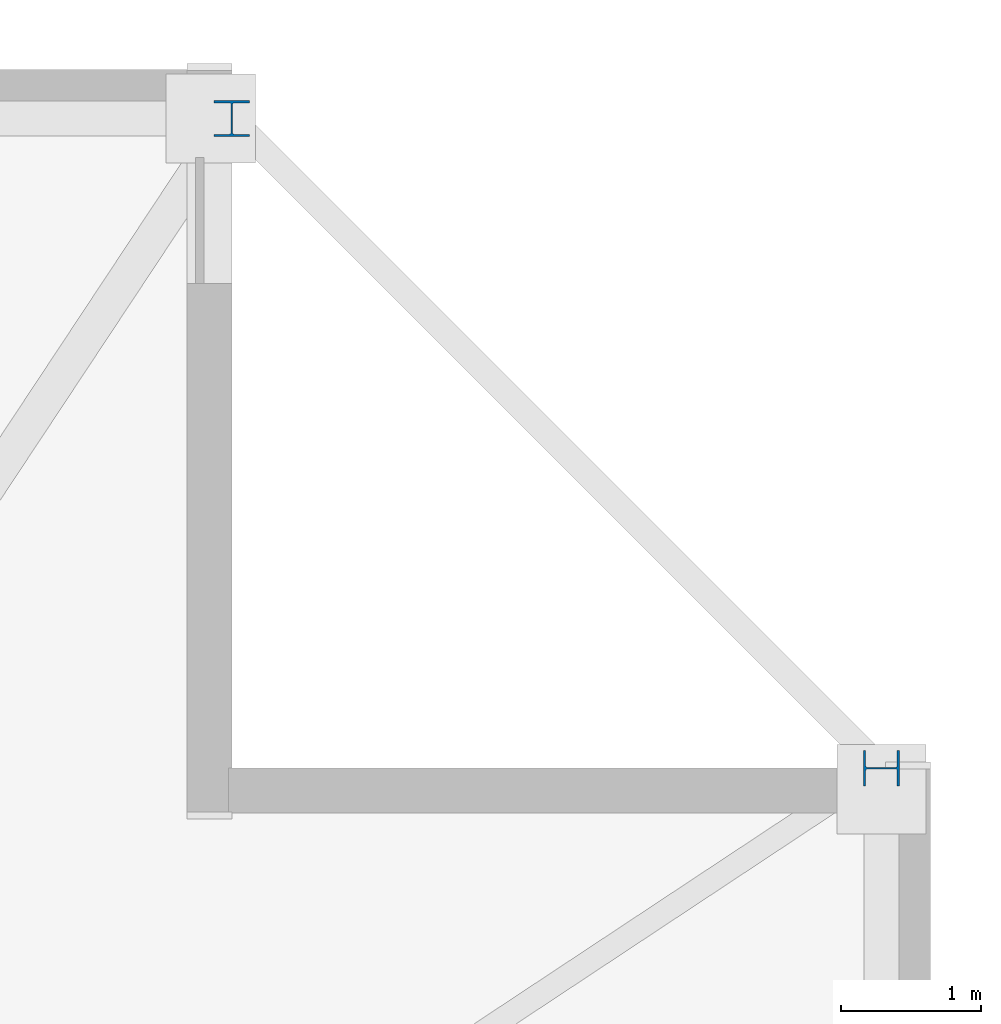
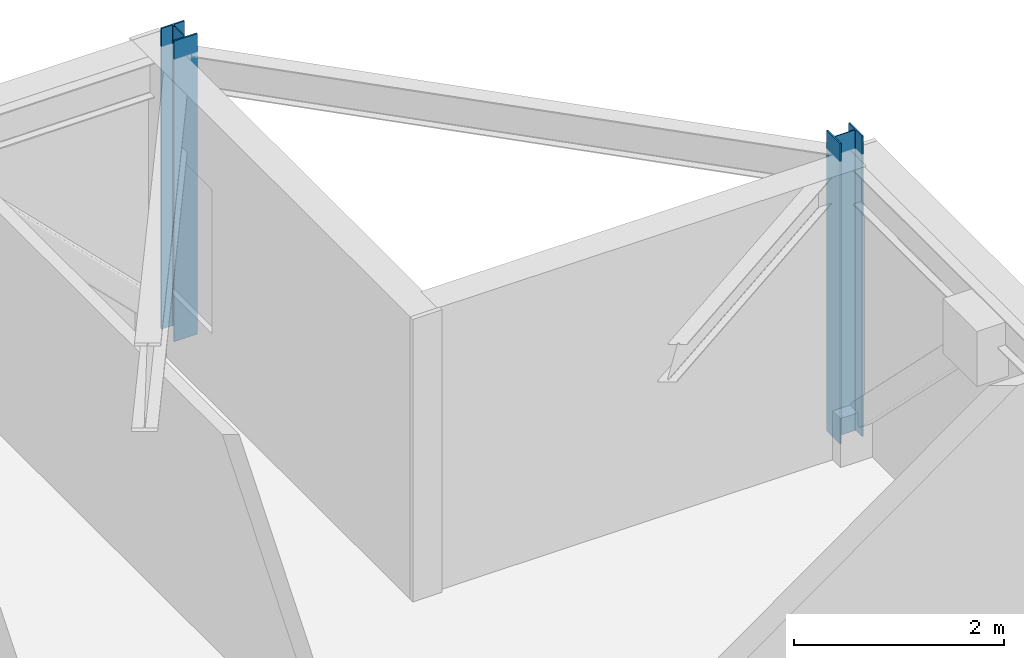
# One storey, part 5 of 17: 2 columns.
"""IFC4 building model written with IfcOpenShell, lengths in metres."""

from ifc_helpers import new_model, si_unit, direction, frame, origin, origin_2d, place, context, subcontext, project, spatial, i_section, extrude, material, material_profile, profile_set, type_object, element, save


model = new_model("IFC4")

# Units and contexts
model_context = context("Model", 3, precision=1e-05, world=origin(), true_north=direction((0.0, 1.0)))
body_context = subcontext(model_context, "Body", "Model", "MODEL_VIEW")
ifc_project = project(units=[si_unit("LENGTHUNIT", "METRE"), si_unit("AREAUNIT", "SQUARE_METRE"), si_unit("VOLUMEUNIT", "CUBIC_METRE"), si_unit("PLANEANGLEUNIT", "RADIAN"), si_unit("MASSUNIT", "GRAM", prefix="KILO")], contexts=[model_context])

# Site, building, storey
site_placement = place(None, origin())
site = spatial("IfcSite", under=ifc_project, at=site_placement, CompositionType="ELEMENT")
building_placement = place(site_placement, origin())
building = spatial("IfcBuilding", under=site, at=building_placement, Name="Cairnveth Concourse Tower", CompositionType="ELEMENT")
storey_placement = place(building_placement, frame((0.0, 0.0, 206.0)))
storey = spatial("IfcBuildingStorey", under=building, at=storey_placement, Name="L56", CompositionType="ELEMENT", Elevation=206.0)

# Columns
ifc_material = material(Name="Steel Grade 350", Category="steel")
ifc_material_profile = material_profile(ifc_material, i_section(OverallWidth=0.256103515625, OverallDepth=0.260009765625, WebThickness=0.010498046875, FlangeThickness=0.017333984375, FilletRadius=0.012939453125, at=origin_2d()), Name="250UC89.5")
ifc_profile_set = profile_set([ifc_material_profile], Name="Steel Grade 350")
column_type = type_object("IfcColumnType", Name="UNIVERSAL STEEL COLUMN 250UC89.5", PredefinedType="COLUMN", material=ifc_profile_set)
for number, where, z_axis, x_axis, name in (
    (1, (74.14990234375, 56.5, 0.0), (0.0, 0.0, 1.0), (0.0, 1.0, 0.0), "Column P-E4 L56"),
    (2, (69.5, 61.14990234375, 0.0), (0.0, 0.0, 1.0), (1.0, 0.0, 0.0), "Column P-N1 L56"),
):
    element("IfcColumn", number, at=place(storey_placement, frame(where, z_axis=z_axis, x_axis=x_axis)), inside=storey, type_object=column_type, Name=name, PredefinedType="COLUMN", context=body_context, shape_type="SweptSolid", body=[
        extrude(i_section(OverallWidth=0.256103515625, OverallDepth=0.260009765625, WebThickness=0.010498046875, FlangeThickness=0.017333984375, FilletRadius=0.012939453125, at=origin_2d()), origin(), (0.0, 0.0, 1.0), 3.5),
    ])

save(model, "model.ifc")
